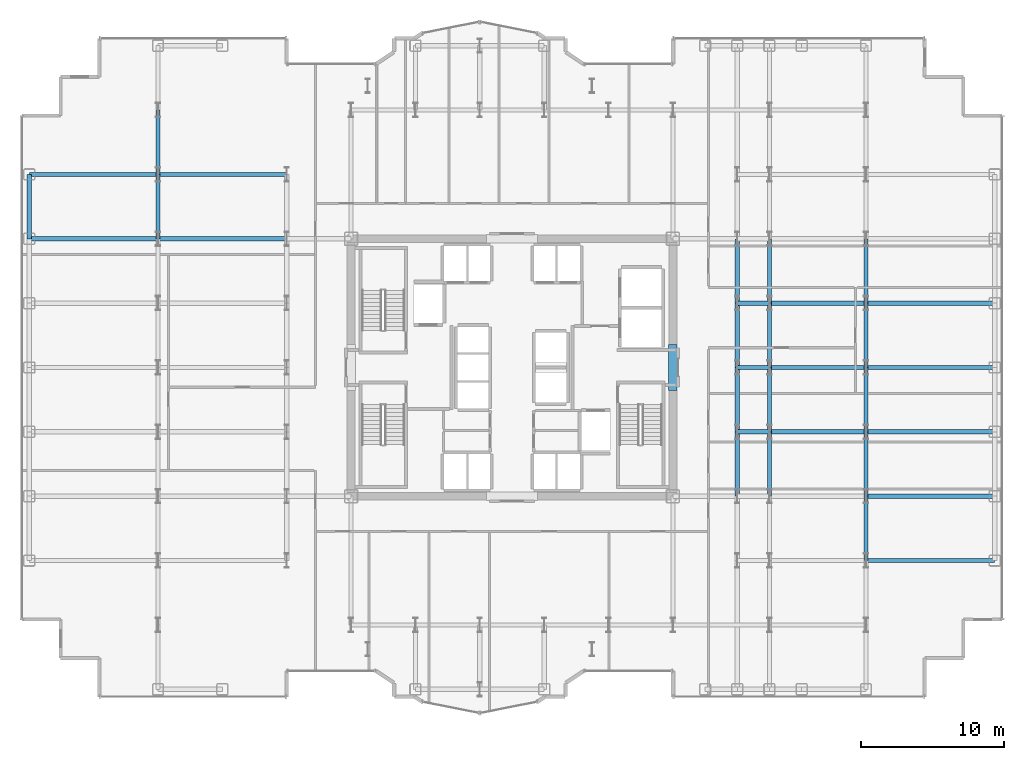
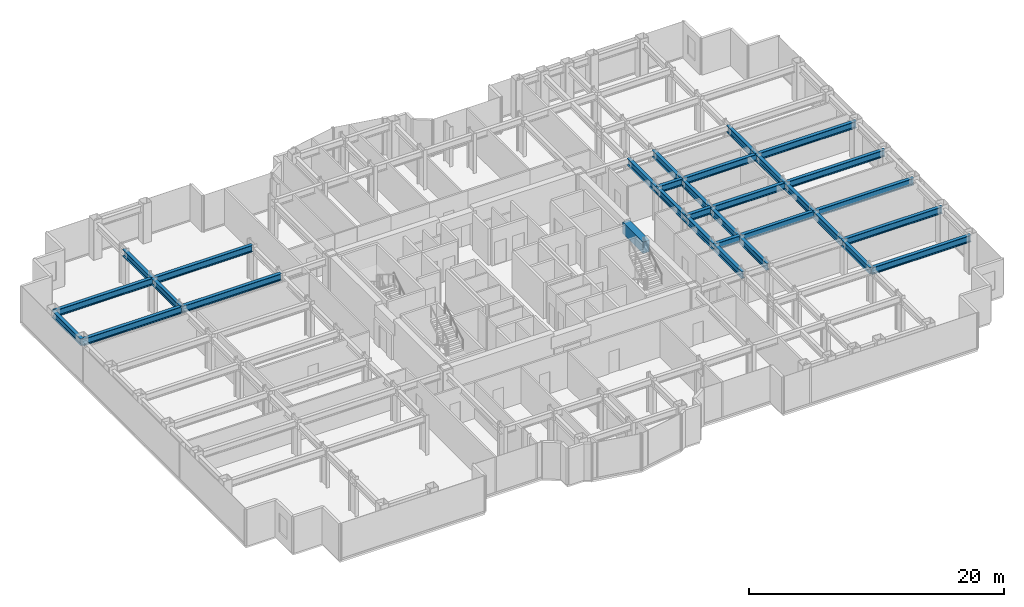
# One storey, part 8 of 26: 32 beams.
"""IFC4 building model written with IfcOpenShell, lengths in metres."""

from ifc_helpers import new_model, si_unit, direction, frame, origin, origin_2d, place, context, subcontext, project, spatial, rectangle, i_section, extrude, source, transform, mapped, material, material_profile, profile_set, type_object, element, save


model = new_model("IFC4")

# Units and contexts
model_context = context("Model", 3, precision=1e-05, world=origin(), true_north=direction((0.0, 1.0)))
body_context = subcontext(model_context, "Body", "Model", "MODEL_VIEW")
ifc_project = project(units=[si_unit("LENGTHUNIT", "METRE"), si_unit("AREAUNIT", "SQUARE_METRE"), si_unit("VOLUMEUNIT", "CUBIC_METRE"), si_unit("PLANEANGLEUNIT", "RADIAN"), si_unit("MASSUNIT", "GRAM", prefix="KILO")], contexts=[model_context])

# Site, building, storey
site_placement = place(None, origin())
site = spatial("IfcSite", under=ifc_project, at=site_placement, CompositionType="ELEMENT")
building_placement = place(site_placement, origin())
building = spatial("IfcBuilding", under=site, at=building_placement, Name="Nefas-Gora Pilgrimage Tower", CompositionType="ELEMENT")
storey_placement = place(building_placement, frame((0.0, 0.0, 140.199951171875)))
storey = spatial("IfcBuildingStorey", under=building, at=storey_placement, Name="L34", CompositionType="ELEMENT", Elevation=140.199951171875)

# Beams
ifc_material_1 = material(Name="Concrete C60/75", Category="concrete")
ifc_material_profile_1 = material_profile(ifc_material_1, rectangle(XDim=0.60009765625, YDim=1.10009765625, at=origin_2d()), Name="RC 600x1100")
ifc_profile_set_1 = profile_set([ifc_material_profile_1], Name="Concrete C60/75")
beam_type_1 = type_object("IfcBeamType", Name="BM-LIN-RC1100", PredefinedType="LINTEL", material=ifc_profile_set_1)
shared_shape_1 = source(origin(), body_context, "Body", "SweptSolid", [
    extrude(rectangle(XDim=0.60009765625, YDim=1.10009765625, at=origin_2d()), origin(), (0.0, 0.0, 1.0), 3.2001953125),
])
beam_1_placement = place(storey_placement, frame((11.25, -1.60009765625, 2.949951171875), z_axis=(0.0, 1.0, 0.0), x_axis=(-1.0, 0.0, 0.0)))
element("IfcBeam", 1, at=beam_1_placement, inside=storey, type_object=beam_type_1, Name="L34 Core Coupling Lintel Beam E", PredefinedType="LINTEL", context=body_context, shape_type="MappedRepresentation", body=[
    mapped(shared_shape_1, transform((0.0, 0.0, 0.0), x_axis=(1.0, 0.0, 0.0), y_axis=(0.0, 1.0, 0.0), z_axis=(0.0, 0.0, 1.0), scale=1.0)),
])
ifc_material_2 = material(Name="Steel S355", Category="steel")
ifc_material_profile_2 = material_profile(ifc_material_2, i_section(OverallWidth=0.300048828125, OverallDepth=0.64990234375, WebThickness=0.01611328125, FlangeThickness=0.031005859375, FilletRadius=0.027099609375, at=origin_2d()), Name="HEB 650")
ifc_profile_set_2 = profile_set([ifc_material_profile_2], Name="Steel S355")
beam_type_2 = type_object("IfcBeamType", Name="BM-SPN-HEB500", PredefinedType="SPANDREL", material=ifc_profile_set_2)
shared_shape_2 = source(origin(), body_context, "Body", "SweptSolid", [
    extrude(i_section(OverallWidth=0.300048828125, OverallDepth=0.64990234375, WebThickness=0.01611328125, FlangeThickness=0.031005859375, FilletRadius=0.027099609375, at=origin_2d()), origin(), (0.0, 0.0, 1.0), 4.5),
])
beam_2_placement = place(storey_placement, frame((-33.75, 9.0, 3.175048828125), z_axis=(0.0, 1.0, 0.0), x_axis=(-1.0, 0.0, 0.0)))
element("IfcBeam", 2, at=beam_2_placement, inside=storey, type_object=beam_type_2, Name="L34 SP-02 beam", PredefinedType="SPANDREL", context=body_context, shape_type="MappedRepresentation", body=[
    mapped(shared_shape_2, transform((0.0, 0.0, 0.0), x_axis=(1.0, 0.0, 0.0), y_axis=(0.0, 1.0, 0.0), z_axis=(0.0, 0.0, 1.0), scale=1.0)),
])
ifc_material_profile_3 = material_profile(ifc_material_2, i_section(OverallWidth=0.300048828125, OverallDepth=0.64990234375, WebThickness=0.01611328125, FlangeThickness=0.031005859375, FilletRadius=0.027099609375, at=origin_2d()), Name="HEB 650")
ifc_profile_set_3 = profile_set([ifc_material_profile_3], Name="Steel S355")
beam_type_3 = type_object("IfcBeamType", Name="BM-GIR-HEB650", PredefinedType="BEAM", material=ifc_profile_set_3)
shared_shape_3 = source(origin(), body_context, "Body", "SweptSolid", [
    extrude(i_section(OverallWidth=0.300048828125, OverallDepth=0.64990234375, WebThickness=0.01611328125, FlangeThickness=0.031005859375, FilletRadius=0.027099609375, at=origin_2d()), origin(), (0.0, 0.0, 1.0), 9.0),
])
for number, where, z_axis, x_axis, name in (
    (3, (-33.75, 9.0, 3.175048828125), (1.0, 0.0, 0.0), (0.0, 1.0, 0.0), "L34 G-03 beam"),
    (4, (-33.75, 13.5, 3.175048828125), (1.0, 0.0, 0.0), (0.0, 1.0, 0.0), "L34 G-03 beam"),
    (5, (-24.75, 9.0, 3.175048828125), (1.0, 0.0, 0.0), (0.0, 1.0, 0.0), "L34 G-03 beam"),
    (6, (-24.75, 13.5, 3.175048828125), (1.0, 0.0, 0.0), (0.0, 1.0, 0.0), "L34 G-03 beam"),
    (7, (24.75, -13.5, 3.175048828125), (1.0, 0.0, 0.0), (0.0, 1.0, 0.0), "L34 G-03 beam"),
    (8, (24.75, -9.0, 3.175048828125), (1.0, 0.0, 0.0), (0.0, 1.0, 0.0), "L34 G-03 beam"),
    (9, (24.75, -4.5, 3.175048828125), (1.0, 0.0, 0.0), (0.0, 1.0, 0.0), "L34 G-03 beam"),
    (10, (24.75, 0.0, 3.175048828125), (1.0, 0.0, 0.0), (0.0, 1.0, 0.0), "L34 G-03 beam"),
    (11, (24.75, 4.5, 3.175048828125), (1.0, 0.0, 0.0), (0.0, 1.0, 0.0), "L34 G-03 beam"),
):
    element("IfcBeam", number, at=place(storey_placement, frame(where, z_axis=z_axis, x_axis=x_axis)), inside=storey, type_object=beam_type_3, Name=name, PredefinedType="BEAM", context=body_context, shape_type="MappedRepresentation", body=[
        mapped(shared_shape_3, transform((0.0, 0.0, 0.0), x_axis=(1.0, 0.0, 0.0), y_axis=(0.0, 1.0, 0.0), z_axis=(0.0, 0.0, 1.0), scale=1.0)),
    ])
shared_shape_4 = source(origin(), body_context, "Body", "SweptSolid", [
    extrude(i_section(OverallWidth=0.300048828125, OverallDepth=0.64990234375, WebThickness=0.01611328125, FlangeThickness=0.031005859375, FilletRadius=0.027099609375, at=origin_2d()), origin(), (0.0, 0.0, 1.0), 4.5),
])
for number, where, z_axis, x_axis, name in (
    (12, (-24.75, 9.0, 3.175048828125), (0.0, 1.0, 0.0), (-1.0, 0.0, 0.0), "L34 G-03 beam"),
    (13, (-24.75, 13.5, 3.175048828125), (0.0, 1.0, 0.0), (-1.0, 0.0, 0.0), "L34 G-03 beam"),
    (14, (15.75, -9.0, 3.175048828125), (0.0, 1.0, 0.0), (-1.0, 0.0, 0.0), "L34 G-03 beam"),
    (15, (15.75, -4.5, 3.175048828125), (0.0, 1.0, 0.0), (-1.0, 0.0, 0.0), "L34 G-03 beam"),
    (16, (15.75, 0.0, 3.175048828125), (0.0, 1.0, 0.0), (-1.0, 0.0, 0.0), "L34 G-03 beam"),
    (17, (15.75, 4.5, 3.175048828125), (0.0, 1.0, 0.0), (-1.0, 0.0, 0.0), "L34 G-03 beam"),
    (18, (18.0, -9.0, 3.175048828125), (0.0, 1.0, 0.0), (-1.0, 0.0, 0.0), "L34 G-03 beam"),
    (19, (18.0, -4.5, 3.175048828125), (0.0, 1.0, 0.0), (-1.0, 0.0, 0.0), "L34 G-03 beam"),
    (20, (18.0, 0.0, 3.175048828125), (0.0, 1.0, 0.0), (-1.0, 0.0, 0.0), "L34 G-03 beam"),
    (21, (18.0, 4.5, 3.175048828125), (0.0, 1.0, 0.0), (-1.0, 0.0, 0.0), "L34 G-03 beam"),
    (22, (24.75, -13.5, 3.175048828125), (0.0, 1.0, 0.0), (-1.0, 0.0, 0.0), "L34 G-03 beam"),
    (23, (24.75, -9.0, 3.175048828125), (0.0, 1.0, 0.0), (-1.0, 0.0, 0.0), "L34 G-03 beam"),
    (24, (24.75, -4.5, 3.175048828125), (0.0, 1.0, 0.0), (-1.0, 0.0, 0.0), "L34 G-03 beam"),
    (25, (24.75, 0.0, 3.175048828125), (0.0, 1.0, 0.0), (-1.0, 0.0, 0.0), "L34 G-03 beam"),
    (26, (24.75, 4.5, 3.175048828125), (0.0, 1.0, 0.0), (-1.0, 0.0, 0.0), "L34 G-03 beam"),
):
    element("IfcBeam", number, at=place(storey_placement, frame(where, z_axis=z_axis, x_axis=x_axis)), inside=storey, type_object=beam_type_3, Name=name, PredefinedType="BEAM", context=body_context, shape_type="MappedRepresentation", body=[
        mapped(shared_shape_4, transform((0.0, 0.0, 0.0), x_axis=(1.0, 0.0, 0.0), y_axis=(0.0, 1.0, 0.0), z_axis=(0.0, 0.0, 1.0), scale=1.0)),
    ])
shared_shape_5 = source(origin(), body_context, "Body", "SweptSolid", [
    extrude(i_section(OverallWidth=0.300048828125, OverallDepth=0.64990234375, WebThickness=0.01611328125, FlangeThickness=0.031005859375, FilletRadius=0.027099609375, at=origin_2d()), origin(), (0.0, 0.0, 1.0), 6.75),
])
for number, where, z_axis, x_axis, name in (
    (27, (18.0, -4.5, 3.175048828125), (1.0, 0.0, 0.0), (0.0, 1.0, 0.0), "L34 G-03 beam"),
    (28, (18.0, 0.0, 3.175048828125), (1.0, 0.0, 0.0), (0.0, 1.0, 0.0), "L34 G-03 beam"),
    (29, (18.0, 4.5, 3.175048828125), (1.0, 0.0, 0.0), (0.0, 1.0, 0.0), "L34 G-03 beam"),
):
    element("IfcBeam", number, at=place(storey_placement, frame(where, z_axis=z_axis, x_axis=x_axis)), inside=storey, type_object=beam_type_3, Name=name, PredefinedType="BEAM", context=body_context, shape_type="MappedRepresentation", body=[
        mapped(shared_shape_5, transform((0.0, 0.0, 0.0), x_axis=(1.0, 0.0, 0.0), y_axis=(0.0, 1.0, 0.0), z_axis=(0.0, 0.0, 1.0), scale=1.0)),
    ])
shared_shape_6 = source(origin(), body_context, "Body", "SweptSolid", [
    extrude(i_section(OverallWidth=0.300048828125, OverallDepth=0.64990234375, WebThickness=0.01611328125, FlangeThickness=0.031005859375, FilletRadius=0.027099609375, at=origin_2d()), origin(), (0.0, 0.0, 1.0), 2.25),
])
for number, where, z_axis, x_axis, name in (
    (30, (15.75, -4.5, 3.175048828125), (1.0, 0.0, 0.0), (0.0, 1.0, 0.0), "L34 G-03 beam"),
    (31, (15.75, 0.0, 3.175048828125), (1.0, 0.0, 0.0), (0.0, 1.0, 0.0), "L34 G-03 beam"),
    (32, (15.75, 4.5, 3.175048828125), (1.0, 0.0, 0.0), (0.0, 1.0, 0.0), "L34 G-03 beam"),
):
    element("IfcBeam", number, at=place(storey_placement, frame(where, z_axis=z_axis, x_axis=x_axis)), inside=storey, type_object=beam_type_3, Name=name, PredefinedType="BEAM", context=body_context, shape_type="MappedRepresentation", body=[
        mapped(shared_shape_6, transform((0.0, 0.0, 0.0), x_axis=(1.0, 0.0, 0.0), y_axis=(0.0, 1.0, 0.0), z_axis=(0.0, 0.0, 1.0), scale=1.0)),
    ])

save(model, "model.ifc")
